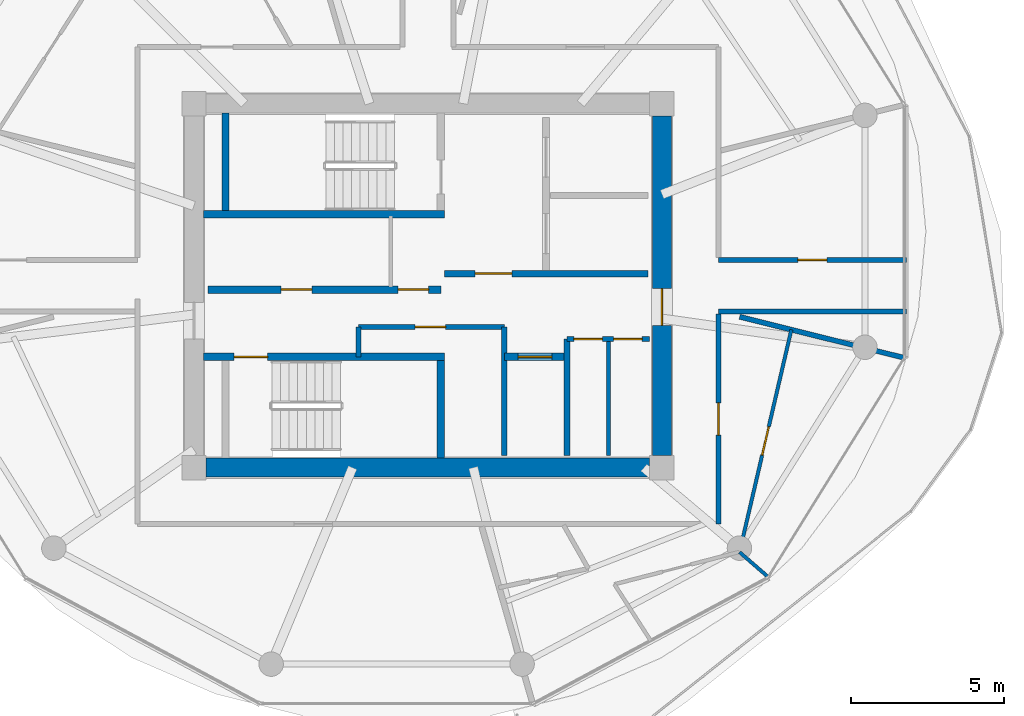
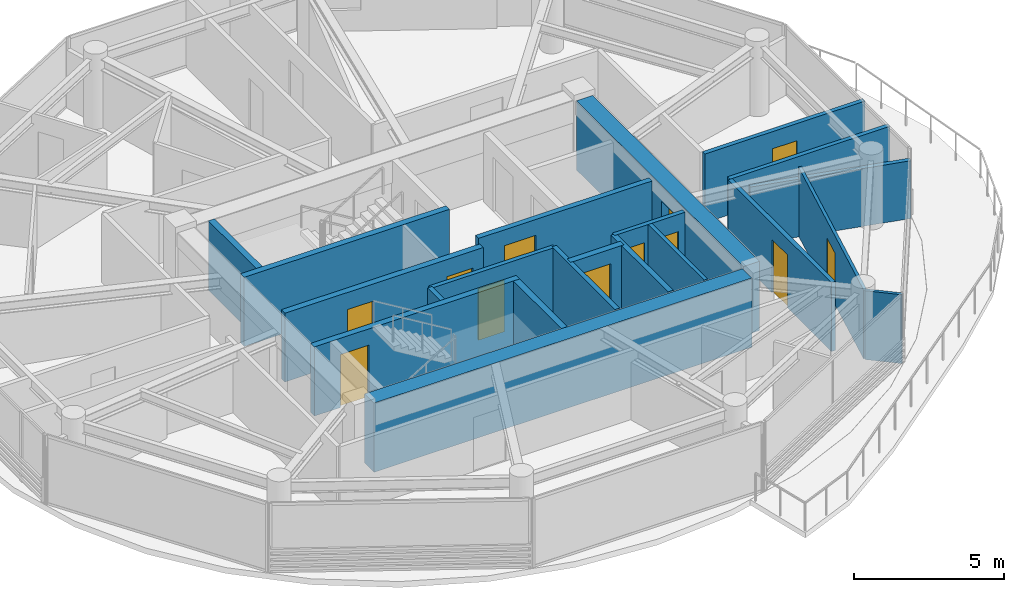
# One storey, part 16 of 23: 21 walls, 12 doors, 12 openings.
"""IFC4 building model written with IfcOpenShell, lengths in metres."""

from ifc_helpers import new_model, si_unit, direction, frame, frame_2d, origin, place, context, subcontext, project, spatial, rectangle, extrude, source, transform, mapped, material, layer, layer_set, type_object, type_shapes, element, fill, save


model = new_model("IFC4")

# Units and contexts
model_context = context("Model", 3, precision=1e-05, world=origin(), true_north=direction((0.0, 1.0)))
body_context = subcontext(model_context, "Body", "Model", "MODEL_VIEW")
ifc_project = project(units=[si_unit("LENGTHUNIT", "METRE"), si_unit("AREAUNIT", "SQUARE_METRE"), si_unit("VOLUMEUNIT", "CUBIC_METRE"), si_unit("PLANEANGLEUNIT", "RADIAN"), si_unit("MASSUNIT", "GRAM", prefix="KILO")], contexts=[model_context])

# Site, building, storey
site_placement = place(None, origin())
site = spatial("IfcSite", under=ifc_project, at=site_placement, CompositionType="ELEMENT")
building_placement = place(site_placement, origin())
building = spatial("IfcBuilding", under=site, at=building_placement, Name="Norrkilde Senior Care Towers", CompositionType="ELEMENT")
storey_placement = place(building_placement, frame((0.0, 0.0, 164.800048828125)))
storey = spatial("IfcBuildingStorey", under=building, at=storey_placement, Name="L51", CompositionType="ELEMENT", Elevation=164.800048828125)

# Wall
ifc_material_1 = material(Name="Concrete C50/60", Category="concrete")
ifc_layer_1 = layer(ifc_material_1, 0.6201171875)
ifc_layer_set_1 = layer_set([ifc_layer_1], Name="Concrete C50/60")
wall_type_1 = type_object("IfcWallType", Name="Core Shear Wall Z3 620", PredefinedType="SHEAR", material=ifc_layer_set_1)
shared_shape_1 = source(origin(), body_context, "Body", "SweptSolid", [
    extrude(rectangle(XDim=14.5, YDim=0.6201171875, at=frame_2d((7.25, 0.0))), origin(), (0.0, 0.0, 1.0), 2.81005859375),
])
wall_1_placement = place(storey_placement, frame((35.25, -5.949951171875, 0.0), z_axis=(0.0, 0.0, 1.0), x_axis=(-1.0, 0.0, 0.0)))
element("IfcWall", 1, at=wall_1_placement, inside=storey, type_object=wall_type_1, Name="L51 Core E South Shear Wall", PredefinedType="SHEAR", context=body_context, shape_type="MappedRepresentation", body=[
    mapped(shared_shape_1, transform((0.0, 0.0, 0.0), x_axis=(1.0, 0.0, 0.0), y_axis=(0.0, 1.0, 0.0), z_axis=(0.0, 0.0, 1.0), scale=1.0)),
])

# Wall, opening, door
shared_shape_2 = source(origin(), body_context, "Body", "SweptSolid", [
    extrude(rectangle(XDim=11.10009765625, YDim=0.6201171875, at=frame_2d((5.550048828125, 0.0))), origin(), (0.0, 0.0, 1.0), 2.81005859375),
])
type_shapes(wall_type_1, [shared_shape_1, shared_shape_2])
wall_2_placement = place(storey_placement, frame((35.64990234375, 5.550048828125, 0.0), z_axis=(0.0, 0.0, 1.0), x_axis=(0.0, -1.0, 0.0)))
wall_2 = element("IfcWall", 2, at=wall_2_placement, inside=storey, type_object=wall_type_1, Name="L51 Core E East Shear Wall", PredefinedType="SHEAR", context=body_context, shape_type="MappedRepresentation", body=[
    mapped(shared_shape_2, transform((0.0, 0.0, 0.0), x_axis=(1.0, 0.0, 0.0), y_axis=(0.0, 1.0, 0.0), z_axis=(0.0, 0.0, 1.0), scale=1.0)),
])
opening_1_placement = place(wall_2_placement, frame((5.64990234375, 0.0, 0.0)))
opening_1 = element("IfcOpeningElement", 3, at=opening_1_placement, cuts=wall_2, Name="Opening D-04", PredefinedType="OPENING", context=body_context, shape_type="SweptSolid", body=[
    extrude(rectangle(XDim=1.199951171875, YDim=2.14990234375, at=frame_2d((0.60009765625, 1.074951171875))), frame((0.0, 0.320068359375, 0.0), z_axis=(0.0, -1.0, 0.0), x_axis=(1.0, 0.0, 0.0)), (0.0, 0.0, 1.0), 0.64013671875),
])
ifc_material_2 = material(Name="Galvanised Painted Steel", Category="steel")
door_type_1 = type_object("IfcDoorType", Name="Firefighting Lobby Fire Door 1200x2150", OperationType="NOTDEFINED", PredefinedType="DOOR", material=ifc_material_2)
shared_shape_3 = source(origin(), body_context, "Body", "SweptSolid", [
    extrude(rectangle(XDim=1.199951171875, YDim=2.14990234375, at=frame_2d((0.60009765625, 1.074951171875))), frame((0.0, 0.02490234375, 0.0), z_axis=(0.0, -1.0, 0.0), x_axis=(1.0, 0.0, 0.0)), (0.0, 0.0, 1.0), 0.050048828125),
])
type_shapes(door_type_1, [shared_shape_3])
door_1_placement = place(opening_1_placement, frame((1.199951171875, 0.0, 0.0), z_axis=(0.0, 0.0, 1.0), x_axis=(-1.0, 0.0, 0.0)))
door_1 = element("IfcDoor", 4, at=door_1_placement, inside=storey, type_object=door_type_1, Name="L51 Core E East Portal Door", OperationType="SINGLE_SWING_RIGHT", OverallHeight=2.14990234375, OverallWidth=1.199951171875, PredefinedType="DOOR", context=body_context, shape_type="MappedRepresentation", body=[
    mapped(shared_shape_3, transform((0.0, 0.0, 0.0), x_axis=(1.0, 0.0, 0.0), y_axis=(0.0, 1.0, 0.0), z_axis=(0.0, 0.0, 1.0), scale=1.0)),
])
fill(opening_1, door_1)

# Wall
ifc_material_3 = material(Name="Concrete C45/55", Category="concrete")
ifc_layer_2 = layer(ifc_material_3, 0.239990234375)
ifc_layer_set_2 = layer_set([ifc_layer_2], Name="Concrete C45/55")
wall_type_2 = type_object("IfcWallType", Name="Shaft and Stair Enclosure Wall 240", PredefinedType="PARTITIONING", material=ifc_layer_set_2)
shared_shape_4 = source(origin(), body_context, "Body", "SweptSolid", [
    extrude(rectangle(XDim=7.880126953125, YDim=0.239990234375, at=frame_2d((3.93994140625, 0.0))), origin(), (0.0, 0.0, 1.0), 2.81005859375),
])
wall_3_placement = place(storey_placement, frame((20.659912109375, 2.330078125, 0.0), z_axis=(0.0, 0.0, 1.0), x_axis=(1.0, 0.0, 0.0)))
element("IfcWall", 5, at=wall_3_placement, inside=storey, type_object=wall_type_2, Name="WL-INT-L51-E-ST1S", PredefinedType="PARTITIONING", context=body_context, shape_type="MappedRepresentation", body=[
    mapped(shared_shape_4, transform((0.0, 0.0, 0.0), x_axis=(1.0, 0.0, 0.0), y_axis=(0.0, 1.0, 0.0), z_axis=(0.0, 0.0, 1.0), scale=1.0)),
])

# Wall, opening, door
wall_4_placement = place(storey_placement, frame((20.659912109375, -2.330078125, 0.0), z_axis=(0.0, 0.0, 1.0), x_axis=(1.0, 0.0, 0.0)))
wall_4 = element("IfcWall", 6, at=wall_4_placement, inside=storey, type_object=wall_type_2, Name="WL-INT-L51-E-ST2N", PredefinedType="PARTITIONING", context=body_context, shape_type="MappedRepresentation", body=[
    mapped(shared_shape_4, transform((0.0, 0.0, 0.0), x_axis=(1.0, 0.0, 0.0), y_axis=(0.0, 1.0, 0.0), z_axis=(0.0, 0.0, 1.0), scale=1.0)),
])
opening_2_placement = place(wall_4_placement, frame((1.0, 0.0, 0.0)))
opening_2 = element("IfcOpeningElement", 7, at=opening_2_placement, cuts=wall_4, Name="Opening D-03", PredefinedType="OPENING", context=body_context, shape_type="SweptSolid", body=[
    extrude(rectangle(XDim=1.10009765625, YDim=2.14990234375, at=frame_2d((0.550048828125, 1.074951171875))), frame((0.0, 0.1298828125, 0.0), z_axis=(0.0, -1.0, 0.0), x_axis=(1.0, 0.0, 0.0)), (0.0, 0.0, 1.0), 0.260009765625),
])
door_type_2 = type_object("IfcDoorType", Name="Stairwell Protected Fire Door 1100x2150", OperationType="NOTDEFINED", PredefinedType="DOOR", material=ifc_material_2)
shared_shape_5 = source(origin(), body_context, "Body", "SweptSolid", [
    extrude(rectangle(XDim=1.10009765625, YDim=2.14990234375, at=frame_2d((0.550048828125, 1.074951171875))), frame((0.0, 0.02490234375, 0.0), z_axis=(0.0, -1.0, 0.0), x_axis=(1.0, 0.0, 0.0)), (0.0, 0.0, 1.0), 0.050048828125),
])
type_shapes(door_type_2, [shared_shape_5])
door_2_placement = place(opening_2_placement, frame((1.10009765625, 0.0, 0.0), z_axis=(0.0, 0.0, 1.0), x_axis=(-1.0, 0.0, 0.0)))
door_2 = element("IfcDoor", 8, at=door_2_placement, inside=storey, type_object=door_type_2, Name="L51 Stair E2 Fire Door", OperationType="SINGLE_SWING_RIGHT", OverallHeight=2.14990234375, OverallWidth=1.10009765625, PredefinedType="DOOR", context=body_context, shape_type="MappedRepresentation", body=[
    mapped(shared_shape_5, transform((0.0, 0.0, 0.0), x_axis=(1.0, 0.0, 0.0), y_axis=(0.0, 1.0, 0.0), z_axis=(0.0, 0.0, 1.0), scale=1.0)),
])
fill(opening_2, door_2)

# Walls
shared_shape_6 = source(origin(), body_context, "Body", "SweptSolid", [
    extrude(rectangle(XDim=3.18994140625, YDim=0.239990234375, at=frame_2d((1.594970703125, 0.0))), origin(), (0.0, 0.0, 1.0), 2.81005859375),
])
type_shapes(wall_type_2, [shared_shape_4, shared_shape_6])
for number, where, z_axis, x_axis, name in (
    (9, (21.3798828125, 2.449951171875, 0.0), (0.0, 0.0, 1.0), (0.0, 1.0, 0.0), "WL-INT-L51-E-ST1W"),
    (10, (28.419921875, -5.639892578125, 0.0), (0.0, 0.0, 1.0), (0.0, 1.0, 0.0), "WL-INT-L51-E-ST2E"),
):
    element("IfcWall", number, at=place(storey_placement, frame(where, z_axis=z_axis, x_axis=x_axis)), inside=storey, type_object=wall_type_2, Name=name, PredefinedType="PARTITIONING", context=body_context, shape_type="MappedRepresentation", body=[
        mapped(shared_shape_6, transform((0.0, 0.0, 0.0), x_axis=(1.0, 0.0, 0.0), y_axis=(0.0, 1.0, 0.0), z_axis=(0.0, 0.0, 1.0), scale=1.0)),
    ])

# Wall, opening, door
ifc_layer_3 = layer(ifc_material_3, 0.2099609375)
ifc_layer_set_3 = layer_set([ifc_layer_3], Name="Concrete C45/55")
wall_type_3 = type_object("IfcWallType", Name="Firefighting Lobby Wall 210", PredefinedType="PARTITIONING", material=ifc_layer_set_3)
shared_shape_7 = source(origin(), body_context, "Body", "SweptSolid", [
    extrude(rectangle(XDim=6.659912109375, YDim=0.2099609375, at=frame_2d((3.330078125, 0.0))), origin(), (0.0, 0.0, 1.0), 2.794921875),
])
type_shapes(wall_type_3, [shared_shape_7])
wall_5_placement = place(storey_placement, frame((28.5400390625, 0.389892578125, 0.0), z_axis=(0.0, 0.0, 1.0), x_axis=(1.0, 0.0, 0.0)))
wall_5 = element("IfcWall", 11, at=wall_5_placement, inside=storey, type_object=wall_type_3, Name="WL-INT-L51-E-FFLS", PredefinedType="PARTITIONING", context=body_context, shape_type="MappedRepresentation", body=[
    mapped(shared_shape_7, transform((0.0, 0.0, 0.0), x_axis=(1.0, 0.0, 0.0), y_axis=(0.0, 1.0, 0.0), z_axis=(0.0, 0.0, 1.0), scale=1.0)),
])
opening_3_placement = place(wall_5_placement, frame((1.0, 0.0, 0.0)))
opening_3 = element("IfcOpeningElement", 12, at=opening_3_placement, cuts=wall_5, Name="Opening D-04", PredefinedType="OPENING", context=body_context, shape_type="SweptSolid", body=[
    extrude(rectangle(XDim=1.199951171875, YDim=2.14990234375, at=frame_2d((0.60009765625, 1.074951171875))), frame((0.0, 0.114990234375, 0.0), z_axis=(0.0, -1.0, 0.0), x_axis=(1.0, 0.0, 0.0)), (0.0, 0.0, 1.0), 0.22998046875),
])
door_3_placement = place(opening_3_placement, frame((1.199951171875, 0.0, 0.0), z_axis=(0.0, 0.0, 1.0), x_axis=(-1.0, 0.0, 0.0)))
door_3 = element("IfcDoor", 13, at=door_3_placement, inside=storey, type_object=door_type_1, Name="L51 Firefighting Lobby E Door", OperationType="SINGLE_SWING_LEFT", OverallHeight=2.14990234375, OverallWidth=1.199951171875, PredefinedType="DOOR", context=body_context, shape_type="MappedRepresentation", body=[
    mapped(shared_shape_3, transform((0.0, 0.0, 0.0), x_axis=(1.0, 0.0, 0.0), y_axis=(0.0, 1.0, 0.0), z_axis=(0.0, 0.0, 1.0), scale=1.0)),
])
fill(opening_3, door_3)

# Wall, openings, doors
ifc_layer_4 = layer(ifc_material_3, 0.239990234375)
ifc_layer_set_4 = layer_set([ifc_layer_4], Name="Concrete C45/55")
wall_type_4 = type_object("IfcWallType", Name="Lift and Plant Rated Enclosure Partition 240", PredefinedType="PARTITIONING", material=ifc_layer_set_4)
shared_shape_8 = source(origin(), body_context, "Body", "SweptSolid", [
    extrude(rectangle(XDim=7.619873046875, YDim=0.239990234375, at=frame_2d((3.81005859375, 0.0))), origin(), (0.0, 0.0, 1.0), 2.794921875),
])
wall_6_placement = place(storey_placement, frame((20.800048828125, -0.1298828125, 0.0), z_axis=(0.0, 0.0, 1.0), x_axis=(1.0, 0.0, 0.0)))
wall_6 = element("IfcWall", 14, at=wall_6_placement, inside=storey, type_object=wall_type_4, Name="WL-INT-L51-E-PKAS", PredefinedType="PARTITIONING", context=body_context, shape_type="MappedRepresentation", body=[
    mapped(shared_shape_8, transform((0.0, 0.0, 0.0), x_axis=(1.0, 0.0, 0.0), y_axis=(0.0, 1.0, 0.0), z_axis=(0.0, 0.0, 1.0), scale=1.0)),
])
opening_4_placement = place(wall_6_placement, frame((6.219970703125, 0.0, 0.0)))
opening_4 = element("IfcOpeningElement", 15, at=opening_4_placement, cuts=wall_6, Name="Opening D-10", PredefinedType="OPENING", context=body_context, shape_type="SweptSolid", body=[
    extrude(rectangle(XDim=1.0, YDim=2.10009765625, at=frame_2d((0.5, 1.050048828125))), frame((0.0, 0.1298828125, 0.0), z_axis=(0.0, -1.0, 0.0), x_axis=(1.0, 0.0, 0.0)), (0.0, 0.0, 1.0), 0.260009765625),
])
opening_5_placement = place(wall_6_placement, frame((2.39990234375, 0.0, 0.0)))
opening_5 = element("IfcOpeningElement", 16, at=opening_5_placement, cuts=wall_6, Name="Opening D-10", PredefinedType="OPENING", context=body_context, shape_type="SweptSolid", body=[
    extrude(rectangle(XDim=1.0, YDim=2.10009765625, at=frame_2d((0.5, 1.050048828125))), frame((0.0, 0.1298828125, 0.0), z_axis=(0.0, -1.0, 0.0), x_axis=(1.0, 0.0, 0.0)), (0.0, 0.0, 1.0), 0.260009765625),
])
door_type_3 = type_object("IfcDoorType", Name="Plant and Riser Rated Door 1000x2100", OperationType="NOTDEFINED", PredefinedType="DOOR", material=ifc_material_2)
shared_shape_9 = source(origin(), body_context, "Body", "SweptSolid", [
    extrude(rectangle(XDim=1.0, YDim=2.10009765625, at=frame_2d((0.5, 1.050048828125))), frame((0.0, 0.02490234375, 0.0), z_axis=(0.0, -1.0, 0.0), x_axis=(1.0, 0.0, 0.0)), (0.0, 0.0, 1.0), 0.050048828125),
])
type_shapes(door_type_3, [shared_shape_9])
door_4_placement = place(opening_4_placement, frame((1.0, 0.0, 0.0), z_axis=(0.0, 0.0, 1.0), x_axis=(-1.0, 0.0, 0.0)))
door_4 = element("IfcDoor", 17, at=door_4_placement, inside=storey, type_object=door_type_3, Name="L51 Electrical Riser E Door", OperationType="SINGLE_SWING_LEFT", OverallHeight=2.10009765625, OverallWidth=1.0, PredefinedType="DOOR", context=body_context, shape_type="MappedRepresentation", body=[
    mapped(shared_shape_9, transform((0.0, 0.0, 0.0), x_axis=(1.0, 0.0, 0.0), y_axis=(0.0, 1.0, 0.0), z_axis=(0.0, 0.0, 1.0), scale=1.0)),
])
fill(opening_4, door_4)
door_5_placement = place(opening_5_placement, frame((1.0, 0.0, 0.0), z_axis=(0.0, 0.0, 1.0), x_axis=(-1.0, 0.0, 0.0)))
door_5 = element("IfcDoor", 18, at=door_5_placement, inside=storey, type_object=door_type_3, Name="L51 Clean Supply Store E Door", OperationType="SINGLE_SWING_LEFT", OverallHeight=2.10009765625, OverallWidth=1.0, PredefinedType="DOOR", context=body_context, shape_type="MappedRepresentation", body=[
    mapped(shared_shape_9, transform((0.0, 0.0, 0.0), x_axis=(1.0, 0.0, 0.0), y_axis=(0.0, 1.0, 0.0), z_axis=(0.0, 0.0, 1.0), scale=1.0)),
])
fill(opening_5, door_5)

# Wall
ifc_layer_5 = layer(ifc_material_3, 0.199951171875)
ifc_layer_set_5 = layer_set([ifc_layer_5], Name="Concrete C45/55")
wall_type_5 = type_object("IfcWallType", Name="Shaft Division and Plant Partition 200", PredefinedType="PARTITIONING", material=ifc_layer_set_5)
shared_shape_10 = source(origin(), body_context, "Body", "SweptSolid", [
    extrude(rectangle(XDim=3.800048828125, YDim=0.199951171875, at=frame_2d((1.89990234375, 0.0))), origin(), (0.0, 0.0, 1.0), 2.794921875),
])
type_shapes(wall_type_5, [shared_shape_10])
wall_7_placement = place(storey_placement, frame((32.550048828125, -5.550048828125, 0.0), z_axis=(0.0, 0.0, 1.0), x_axis=(0.0, 1.0, 0.0)))
element("IfcWall", 19, at=wall_7_placement, inside=storey, type_object=wall_type_5, Name="WL-INT-L51-E-PKBE", PredefinedType="PARTITIONING", context=body_context, shape_type="MappedRepresentation", body=[
    mapped(shared_shape_10, transform((0.0, 0.0, 0.0), x_axis=(1.0, 0.0, 0.0), y_axis=(0.0, 1.0, 0.0), z_axis=(0.0, 0.0, 1.0), scale=1.0)),
])

# Wall, openings, doors
ifc_material_4 = material(Name="Gypsum Acoustic Board")
ifc_layer_6 = layer(ifc_material_4, 0.1650390625)
ifc_layer_set_6 = layer_set([ifc_layer_6], Name="Gypsum Acoustic Board")
wall_type_6 = type_object("IfcWallType", Name="Corridor Rated Partition 165", PredefinedType="PARTITIONING", material=ifc_layer_set_6)
shared_shape_11 = source(origin(), body_context, "Body", "SweptSolid", [
    extrude(rectangle(XDim=2.699951171875, YDim=0.1650390625, at=frame_2d((1.35009765625, 0.0))), origin(), (0.0, 0.0, 1.0), 2.794921875),
])
wall_8_placement = place(storey_placement, frame((32.550048828125, -1.75, 0.0), z_axis=(0.0, 0.0, 1.0), x_axis=(1.0, 0.0, 0.0)))
wall_8 = element("IfcWall", 20, at=wall_8_placement, inside=storey, type_object=wall_type_6, Name="WL-INT-L51-E-CSN", PredefinedType="PARTITIONING", context=body_context, shape_type="MappedRepresentation", body=[
    mapped(shared_shape_11, transform((0.0, 0.0, 0.0), x_axis=(1.0, 0.0, 0.0), y_axis=(0.0, 1.0, 0.0), z_axis=(0.0, 0.0, 1.0), scale=1.0)),
])
opening_6_placement = place(wall_8_placement, frame((0.222412109375, 0.0, 0.0)))
opening_6 = element("IfcOpeningElement", 21, at=opening_6_placement, cuts=wall_8, Name="Opening D-12", PredefinedType="OPENING", context=body_context, shape_type="SweptSolid", body=[
    extrude(rectangle(XDim=0.925048828125, YDim=2.10009765625, at=frame_2d((0.46240234375, 1.050048828125))), frame((0.0, 0.092529296875, 0.0), z_axis=(0.0, -1.0, 0.0), x_axis=(1.0, 0.0, 0.0)), (0.0, 0.0, 1.0), 0.18505859375),
])
opening_7_placement = place(wall_8_placement, frame((1.5224609375, 0.0, 0.0)))
opening_7 = element("IfcOpeningElement", 22, at=opening_7_placement, cuts=wall_8, Name="Opening D-12", PredefinedType="OPENING", context=body_context, shape_type="SweptSolid", body=[
    extrude(rectangle(XDim=0.925048828125, YDim=2.10009765625, at=frame_2d((0.46240234375, 1.050048828125))), frame((0.0, 0.092529296875, 0.0), z_axis=(0.0, -1.0, 0.0), x_axis=(1.0, 0.0, 0.0)), (0.0, 0.0, 1.0), 0.18505859375),
])
door_type_4 = type_object("IfcDoorType", Name="Core Wet Room Rated Door 925x2100", OperationType="NOTDEFINED", PredefinedType="DOOR", material=ifc_material_2)
shared_shape_12 = source(origin(), body_context, "Body", "SweptSolid", [
    extrude(rectangle(XDim=0.925048828125, YDim=2.10009765625, at=frame_2d((0.46240234375, 1.050048828125))), frame((0.0, 0.02490234375, 0.0), z_axis=(0.0, -1.0, 0.0), x_axis=(1.0, 0.0, 0.0)), (0.0, 0.0, 1.0), 0.050048828125),
])
type_shapes(door_type_4, [shared_shape_12])
door_6_placement = place(opening_6_placement, origin())
door_6 = element("IfcDoor", 23, at=door_6_placement, inside=storey, type_object=door_type_4, Name="L51 Staff Accessible WC E Door", OperationType="SINGLE_SWING_LEFT", OverallHeight=2.10009765625, OverallWidth=0.925048828125, PredefinedType="DOOR", context=body_context, shape_type="MappedRepresentation", body=[
    mapped(shared_shape_12, transform((0.0, 0.0, 0.0), x_axis=(1.0, 0.0, 0.0), y_axis=(0.0, 1.0, 0.0), z_axis=(0.0, 0.0, 1.0), scale=1.0)),
])
fill(opening_6, door_6)
door_7_placement = place(opening_7_placement, origin())
door_7 = element("IfcDoor", 24, at=door_7_placement, inside=storey, type_object=door_type_4, Name="L51 Housekeeping Store E Door", OperationType="SINGLE_SWING_RIGHT", OverallHeight=2.10009765625, OverallWidth=0.925048828125, PredefinedType="DOOR", context=body_context, shape_type="MappedRepresentation", body=[
    mapped(shared_shape_12, transform((0.0, 0.0, 0.0), x_axis=(1.0, 0.0, 0.0), y_axis=(0.0, 1.0, 0.0), z_axis=(0.0, 0.0, 1.0), scale=1.0)),
])
fill(opening_7, door_7)

# Walls
ifc_layer_7 = layer(ifc_material_4, 0.139892578125)
ifc_layer_set_7 = layer_set([ifc_layer_7], Name="Gypsum Acoustic Board")
wall_type_7 = type_object("IfcWallType", Name="En-suite Wet Room Wall 140", PredefinedType="PARTITIONING", material=ifc_layer_set_7)
shared_shape_13 = source(origin(), body_context, "Body", "SweptSolid", [
    extrude(rectangle(XDim=3.800048828125, YDim=0.139892578125, at=frame_2d((1.89990234375, 0.0))), origin(), (0.0, 0.0, 1.0), 2.794921875),
])
type_shapes(wall_type_7, [shared_shape_13])
wall_9_placement = place(storey_placement, frame((33.89990234375, -5.550048828125, 0.0), z_axis=(0.0, 0.0, 1.0), x_axis=(0.0, 1.0, 0.0)))
element("IfcWall", 25, at=wall_9_placement, inside=storey, type_object=wall_type_7, Name="WL-INT-L51-E-CS1V", PredefinedType="PARTITIONING", context=body_context, shape_type="MappedRepresentation", body=[
    mapped(shared_shape_13, transform((0.0, 0.0, 0.0), x_axis=(1.0, 0.0, 0.0), y_axis=(0.0, 1.0, 0.0), z_axis=(0.0, 0.0, 1.0), scale=1.0)),
])
shared_shape_14 = source(origin(), body_context, "Body", "SweptSolid", [
    extrude(rectangle(XDim=5.564208984375, YDim=0.1650390625, at=frame_2d((2.7822265625, 0.0))), origin(), (0.0, 0.0, 1.0), 2.344970703125),
])
wall_10_placement = place(storey_placement, frame((38.18994140625, -1.02001953125, 0.0), z_axis=(0.0, 0.0, 1.0), x_axis=(0.97031260977, -0.241854169533, 0.0)))
element("IfcWall", 26, at=wall_10_placement, inside=storey, type_object=wall_type_6, Name="WL-INT-L51-E-DEM-11-0", PredefinedType="PARTITIONING", context=body_context, shape_type="MappedRepresentation", body=[
    mapped(shared_shape_14, transform((0.0, 0.0, 0.0), x_axis=(1.0, 0.0, 0.0), y_axis=(0.0, 1.0, 0.0), z_axis=(0.0, 0.0, 1.0), scale=1.0)),
])

# Wall, opening, door
shared_shape_15 = source(origin(), body_context, "Body", "SweptSolid", [
    extrude(rectangle(XDim=2.050048828125, YDim=0.239990234375, at=frame_2d((1.02490234375, 0.0))), origin(), (0.0, 0.0, 1.0), 2.794921875),
])
type_shapes(wall_type_4, [shared_shape_8, shared_shape_15])
wall_11_placement = place(storey_placement, frame((30.5, -2.330078125, 0.0), z_axis=(0.0, 0.0, 1.0), x_axis=(1.0, 0.0, 0.0)))
wall_11 = element("IfcWall", 27, at=wall_11_placement, inside=storey, type_object=wall_type_4, Name="WL-INT-L51-E-PL4N", PredefinedType="PARTITIONING", context=body_context, shape_type="MappedRepresentation", body=[
    mapped(shared_shape_15, transform((0.0, 0.0, 0.0), x_axis=(1.0, 0.0, 0.0), y_axis=(0.0, 1.0, 0.0), z_axis=(0.0, 0.0, 1.0), scale=1.0)),
])
opening_8_placement = place(wall_11_placement, frame((0.449951171875, 0.0, 0.0)))
opening_8 = element("IfcOpeningElement", 28, at=opening_8_placement, cuts=wall_11, Name="Opening LD-01", PredefinedType="OPENING", context=body_context, shape_type="SweptSolid", body=[
    extrude(rectangle(XDim=1.10009765625, YDim=2.199951171875, at=frame_2d((0.550048828125, 1.10009765625))), frame((0.0, 0.1298828125, 0.0), z_axis=(0.0, -1.0, 0.0), x_axis=(1.0, 0.0, 0.0)), (0.0, 0.0, 1.0), 0.260009765625),
])
ifc_material_5 = material(Name="Stainless Steel", Category="steel")
door_type_5 = type_object("IfcDoorType", Name="Lift Landing Sliding Door 1100x2200", OperationType="NOTDEFINED", PredefinedType="DOOR", material=ifc_material_5)
shared_shape_16 = source(origin(), body_context, "Body", "SweptSolid", [
    extrude(rectangle(XDim=1.10009765625, YDim=2.199951171875, at=frame_2d((0.550048828125, 1.10009765625))), frame((0.0, 0.02490234375, 0.0), z_axis=(0.0, -1.0, 0.0), x_axis=(1.0, 0.0, 0.0)), (0.0, 0.0, 1.0), 0.050048828125),
])
type_shapes(door_type_5, [shared_shape_16])
door_8_placement = place(opening_8_placement, frame((1.10009765625, 0.0, 0.0), z_axis=(0.0, 0.0, 1.0), x_axis=(-1.0, 0.0, 0.0)))
door_8 = element("IfcDoor", 29, at=door_8_placement, inside=storey, type_object=door_type_5, Name="L51 Passenger Lift E4 Landing Door", OperationType="SLIDING_TO_RIGHT", OverallHeight=2.199951171875, OverallWidth=1.10009765625, PredefinedType="DOOR", context=body_context, shape_type="MappedRepresentation", body=[
    mapped(shared_shape_16, transform((0.0, 0.0, 0.0), x_axis=(1.0, 0.0, 0.0), y_axis=(0.0, 1.0, 0.0), z_axis=(0.0, 0.0, 1.0), scale=1.0)),
])
fill(opening_8, door_8)

# Wall
ifc_layer_8 = layer(ifc_material_3, 0.179931640625)
ifc_layer_set_8 = layer_set([ifc_layer_8], Name="Concrete C45/55")
wall_type_8 = type_object("IfcWallType", Name="Hoistway Division Rated Partition 180", PredefinedType="PARTITIONING", material=ifc_layer_set_8)
shared_shape_17 = source(origin(), body_context, "Body", "SweptSolid", [
    extrude(rectangle(XDim=4.199951171875, YDim=0.179931640625, at=frame_2d((2.10009765625, 0.0))), origin(), (0.0, 0.0, 1.0), 2.794921875),
])
type_shapes(wall_type_8, [shared_shape_17])
wall_12_placement = place(storey_placement, frame((30.5, -5.550048828125, 0.0), z_axis=(0.0, 0.0, 1.0), x_axis=(0.0, 1.0, 0.0)))
element("IfcWall", 30, at=wall_12_placement, inside=storey, type_object=wall_type_8, Name="WL-INT-L51-E-PL4W", PredefinedType="PARTITIONING", context=body_context, shape_type="MappedRepresentation", body=[
    mapped(shared_shape_17, transform((0.0, 0.0, 0.0), x_axis=(1.0, 0.0, 0.0), y_axis=(0.0, 1.0, 0.0), z_axis=(0.0, 0.0, 1.0), scale=1.0)),
])

# Wall, opening, door
shared_shape_18 = source(origin(), body_context, "Body", "SweptSolid", [
    extrude(rectangle(XDim=4.77001953125, YDim=0.1650390625, at=frame_2d((2.385009765625, 0.0))), origin(), (0.0, 0.0, 1.0), 2.794921875),
])
wall_13_placement = place(storey_placement, frame((25.72998046875, -1.35009765625, 0.0), z_axis=(0.0, 0.0, 1.0), x_axis=(1.0, 0.0, 0.0)))
wall_13 = element("IfcWall", 31, at=wall_13_placement, inside=storey, type_object=wall_type_6, Name="WL-INT-L51-E-FR2N", PredefinedType="PARTITIONING", context=body_context, shape_type="MappedRepresentation", body=[
    mapped(shared_shape_18, transform((0.0, 0.0, 0.0), x_axis=(1.0, 0.0, 0.0), y_axis=(0.0, 1.0, 0.0), z_axis=(0.0, 0.0, 1.0), scale=1.0)),
])
opening_9_placement = place(wall_13_placement, frame((1.85009765625, 0.0, 0.0)))
opening_9 = element("IfcOpeningElement", 32, at=opening_9_placement, cuts=wall_13, Name="Opening D-10", PredefinedType="OPENING", context=body_context, shape_type="SweptSolid", body=[
    extrude(rectangle(XDim=1.0, YDim=2.10009765625, at=frame_2d((0.5, 1.050048828125))), frame((0.0, 0.092529296875, 0.0), z_axis=(0.0, -1.0, 0.0), x_axis=(1.0, 0.0, 0.0)), (0.0, 0.0, 1.0), 0.18505859375),
])
door_9_placement = place(opening_9_placement, origin())
door_9 = element("IfcDoor", 33, at=door_9_placement, inside=storey, type_object=door_type_3, Name="L51 Core Pantry E Door", OperationType="SINGLE_SWING_RIGHT", OverallHeight=2.10009765625, OverallWidth=1.0, PredefinedType="DOOR", context=body_context, shape_type="MappedRepresentation", body=[
    mapped(shared_shape_9, transform((0.0, 0.0, 0.0), x_axis=(1.0, 0.0, 0.0), y_axis=(0.0, 1.0, 0.0), z_axis=(0.0, 0.0, 1.0), scale=1.0)),
])
fill(opening_9, door_9)

# Wall
shared_shape_19 = source(origin(), body_context, "Body", "SweptSolid", [
    extrude(rectangle(XDim=0.97998046875, YDim=0.1650390625, at=frame_2d((0.489990234375, 0.0))), origin(), (0.0, 0.0, 1.0), 2.794921875),
])
wall_14_placement = place(storey_placement, frame((25.72998046875, -2.330078125, 0.0), z_axis=(0.0, 0.0, 1.0), x_axis=(0.0, 1.0, 0.0)))
element("IfcWall", 34, at=wall_14_placement, inside=storey, type_object=wall_type_6, Name="WL-INT-L51-E-FR2W", PredefinedType="PARTITIONING", context=body_context, shape_type="MappedRepresentation", body=[
    mapped(shared_shape_19, transform((0.0, 0.0, 0.0), x_axis=(1.0, 0.0, 0.0), y_axis=(0.0, 1.0, 0.0), z_axis=(0.0, 0.0, 1.0), scale=1.0)),
])

# Wall, opening, door
shared_shape_20 = source(origin(), body_context, "Body", "SweptSolid", [
    extrude(rectangle(XDim=6.880126953125, YDim=0.1650390625, at=frame_2d((3.43994140625, 0.0))), origin(), (0.0, 0.0, 1.0), 2.794921875),
])
wall_15_placement = place(storey_placement, frame((37.5, -0.919921875, 0.0), z_axis=(0.0, 0.0, 1.0), x_axis=(0.0, -1.0, 0.0)))
wall_15 = element("IfcWall", 35, at=wall_15_placement, inside=storey, type_object=wall_type_6, Name="WL-INT-L51-E-CRW-E-1", PredefinedType="PARTITIONING", context=body_context, shape_type="MappedRepresentation", body=[
    mapped(shared_shape_20, transform((0.0, 0.0, 0.0), x_axis=(1.0, 0.0, 0.0), y_axis=(0.0, 1.0, 0.0), z_axis=(0.0, 0.0, 1.0), scale=1.0)),
])
opening_10_placement = place(wall_15_placement, frame((2.9150390625, 0.0, 0.0)))
opening_10 = element("IfcOpeningElement", 36, at=opening_10_placement, cuts=wall_15, Name="Opening D-06", PredefinedType="OPENING", context=body_context, shape_type="SweptSolid", body=[
    extrude(rectangle(XDim=1.050048828125, YDim=2.14990234375, at=frame_2d((0.52490234375, 1.074951171875))), frame((0.0, 0.092529296875, 0.0), z_axis=(0.0, -1.0, 0.0), x_axis=(1.0, 0.0, 0.0)), (0.0, 0.0, 1.0), 0.18505859375),
])
ifc_material_6 = material(Name="Nordic Ash Timber", Category="wood")
door_type_6 = type_object("IfcDoorType", Name="Apartment Entrance Fire Door 1050x2150", OperationType="NOTDEFINED", PredefinedType="DOOR", material=ifc_material_6)
shared_shape_21 = source(origin(), body_context, "Body", "SweptSolid", [
    extrude(rectangle(XDim=1.050048828125, YDim=2.14990234375, at=frame_2d((0.52490234375, 1.074951171875))), frame((0.0, 0.02490234375, 0.0), z_axis=(0.0, -1.0, 0.0), x_axis=(1.0, 0.0, 0.0)), (0.0, 0.0, 1.0), 0.050048828125),
])
type_shapes(door_type_6, [shared_shape_21])
door_10_placement = place(opening_10_placement, frame((1.050048828125, 0.0, 0.0), z_axis=(0.0, 0.0, 1.0), x_axis=(-1.0, 0.0, 0.0)))
door_10 = element("IfcDoor", 37, at=door_10_placement, inside=storey, type_object=door_type_6, Name="Apartment 51D Entrance Door", OperationType="SINGLE_SWING_RIGHT", OverallHeight=2.14990234375, OverallWidth=1.050048828125, PredefinedType="DOOR", context=body_context, shape_type="MappedRepresentation", body=[
    mapped(shared_shape_21, transform((0.0, 0.0, 0.0), x_axis=(1.0, 0.0, 0.0), y_axis=(0.0, 1.0, 0.0), z_axis=(0.0, 0.0, 1.0), scale=1.0)),
])
fill(opening_10, door_10)

shared_shape_22 = source(origin(), body_context, "Body", "SweptSolid", [
    extrude(rectangle(XDim=6.138916015625, YDim=0.1650390625, at=frame_2d((3.0693359375, 0.0))), origin(), (0.0, 0.0, 1.0), 2.794921875),
])
type_shapes(wall_type_6, [shared_shape_11, shared_shape_14, shared_shape_18, shared_shape_19, shared_shape_20, shared_shape_22])
wall_16_placement = place(storey_placement, frame((37.5, 0.840087890625, 0.0), z_axis=(0.0, 0.0, 1.0), x_axis=(1.0, 0.0, 0.0)))
wall_16 = element("IfcWall", 38, at=wall_16_placement, inside=storey, type_object=wall_type_6, Name="WL-INT-L51-E-SPK-E1-0", PredefinedType="PARTITIONING", context=body_context, shape_type="MappedRepresentation", body=[
    mapped(shared_shape_22, transform((0.0, 0.0, 0.0), x_axis=(1.0, 0.0, 0.0), y_axis=(0.0, 1.0, 0.0), z_axis=(0.0, 0.0, 1.0), scale=1.0)),
])
opening_11_placement = place(wall_16_placement, frame((2.594482421875, 0.0, 0.0)))
opening_11 = element("IfcOpeningElement", 39, at=opening_11_placement, cuts=wall_16, Name="Opening D-07", PredefinedType="OPENING", context=body_context, shape_type="SweptSolid", body=[
    extrude(rectangle(XDim=0.949951171875, YDim=2.10009765625, at=frame_2d((0.47509765625, 1.050048828125))), frame((0.0, 0.092529296875, 0.0), z_axis=(0.0, -1.0, 0.0), x_axis=(1.0, 0.0, 0.0)), (0.0, 0.0, 1.0), 0.18505859375),
])
door_type_7 = type_object("IfcDoorType", Name="Internal Suite Bedroom Door 950x2100", OperationType="NOTDEFINED", PredefinedType="DOOR", material=ifc_material_6)
shared_shape_23 = source(origin(), body_context, "Body", "SweptSolid", [
    extrude(rectangle(XDim=0.949951171875, YDim=2.10009765625, at=frame_2d((0.47509765625, 1.050048828125))), frame((0.0, 0.02490234375, 0.0), z_axis=(0.0, -1.0, 0.0), x_axis=(1.0, 0.0, 0.0)), (0.0, 0.0, 1.0), 0.050048828125),
])
type_shapes(door_type_7, [shared_shape_23])
door_11_placement = place(opening_11_placement, frame((0.949951171875, 0.0, 0.0), z_axis=(0.0, 0.0, 1.0), x_axis=(-1.0, 0.0, 0.0)))
door_11 = element("IfcDoor", 40, at=door_11_placement, inside=storey, type_object=door_type_7, Name="L51 Sun Reading Lounge 5 Door", OperationType="SINGLE_SWING_RIGHT", OverallHeight=2.10009765625, OverallWidth=0.949951171875, PredefinedType="DOOR", context=body_context, shape_type="MappedRepresentation", body=[
    mapped(shared_shape_23, transform((0.0, 0.0, 0.0), x_axis=(1.0, 0.0, 0.0), y_axis=(0.0, 1.0, 0.0), z_axis=(0.0, 0.0, 1.0), scale=1.0)),
])
fill(opening_11, door_11)

# Wall
wall_17_placement = place(storey_placement, frame((43.638916015625, -0.840087890625, 0.0), z_axis=(0.0, 0.0, 1.0), x_axis=(-1.0, 0.0, 0.0)))
element("IfcWall", 41, at=wall_17_placement, inside=storey, type_object=wall_type_6, Name="WL-INT-L51-E-SPK-E2-0", PredefinedType="PARTITIONING", context=body_context, shape_type="MappedRepresentation", body=[
    mapped(shared_shape_22, transform((0.0, 0.0, 0.0), x_axis=(1.0, 0.0, 0.0), y_axis=(0.0, 1.0, 0.0), z_axis=(0.0, 0.0, 1.0), scale=1.0)),
])

# Wall, opening, door
ifc_layer_9 = layer(ifc_material_4, 0.114990234375)
ifc_layer_set_9 = layer_set([ifc_layer_9], Name="Gypsum Acoustic Board")
wall_type_9 = type_object("IfcWallType", Name="Internal Room Partition 115", PredefinedType="PARTITIONING", material=ifc_layer_set_9)
shared_shape_24 = source(origin(), body_context, "Body", "SweptSolid", [
    extrude(rectangle(XDim=7.46875, YDim=0.114990234375, at=frame_2d((3.734375, 0.0))), origin(), (0.0, 0.0, 1.0), 2.794921875),
])
wall_18_placement = place(storey_placement, frame((38.1865234375, -8.714599609375, 0.0), z_axis=(0.0, 0.0, 1.0), x_axis=(0.226790420763, 0.973943584121, 0.0)))
wall_18 = element("IfcWall", 42, at=wall_18_placement, inside=storey, type_object=wall_type_9, Name="WL-INT-L51-E-UBC-09-1", PredefinedType="PARTITIONING", context=body_context, shape_type="MappedRepresentation", body=[
    mapped(shared_shape_24, transform((0.0, 0.0, 0.0), x_axis=(1.0, 0.0, 0.0), y_axis=(0.0, 1.0, 0.0), z_axis=(0.0, 0.0, 1.0), scale=1.0)),
])
opening_12_placement = place(wall_18_placement, frame((3.25927734375, 0.0, 0.0)))
opening_12 = element("IfcOpeningElement", 43, at=opening_12_placement, cuts=wall_18, Name="Opening D-07", PredefinedType="OPENING", context=body_context, shape_type="SweptSolid", body=[
    extrude(rectangle(XDim=0.949951171875, YDim=2.10009765625, at=frame_2d((0.47509765625, 1.050048828125))), frame((0.0, 0.0673828125, 0.0), z_axis=(0.0, -1.0, 0.0), x_axis=(1.0, 0.0, 0.0)), (0.0, 0.0, 1.0), 0.135009765625),
])
door_12_placement = place(opening_12_placement, origin())
door_12 = element("IfcDoor", 44, at=door_12_placement, inside=storey, type_object=door_type_7, Name="Apartment 51D Bedroom 1 Door", OperationType="SINGLE_SWING_LEFT", OverallHeight=2.10009765625, OverallWidth=0.949951171875, PredefinedType="DOOR", context=body_context, shape_type="MappedRepresentation", body=[
    mapped(shared_shape_23, transform((0.0, 0.0, 0.0), x_axis=(1.0, 0.0, 0.0), y_axis=(0.0, 1.0, 0.0), z_axis=(0.0, 0.0, 1.0), scale=1.0)),
])
fill(opening_12, door_12)

# Wall
shared_shape_25 = source(origin(), body_context, "Body", "SweptSolid", [
    extrude(rectangle(XDim=1.2578125, YDim=0.114990234375, at=frame_2d((0.62890625, 0.0))), origin(), (0.0, 0.0, 1.0), 2.794921875),
])
type_shapes(wall_type_9, [shared_shape_24, shared_shape_25])
wall_19_placement = place(storey_placement, frame((38.1865234375, -8.714599609375, 0.0), z_axis=(0.0, 0.0, 1.0), x_axis=(0.755765923317, -0.654841865761, 0.0)))
element("IfcWall", 45, at=wall_19_placement, inside=storey, type_object=wall_type_9, Name="WL-INT-L51-E-UBR-09-1", PredefinedType="PARTITIONING", context=body_context, shape_type="MappedRepresentation", body=[
    mapped(shared_shape_25, transform((0.0, 0.0, 0.0), x_axis=(1.0, 0.0, 0.0), y_axis=(0.0, 1.0, 0.0), z_axis=(0.0, 0.0, 1.0), scale=1.0)),
])

save(model, "model.ifc")
